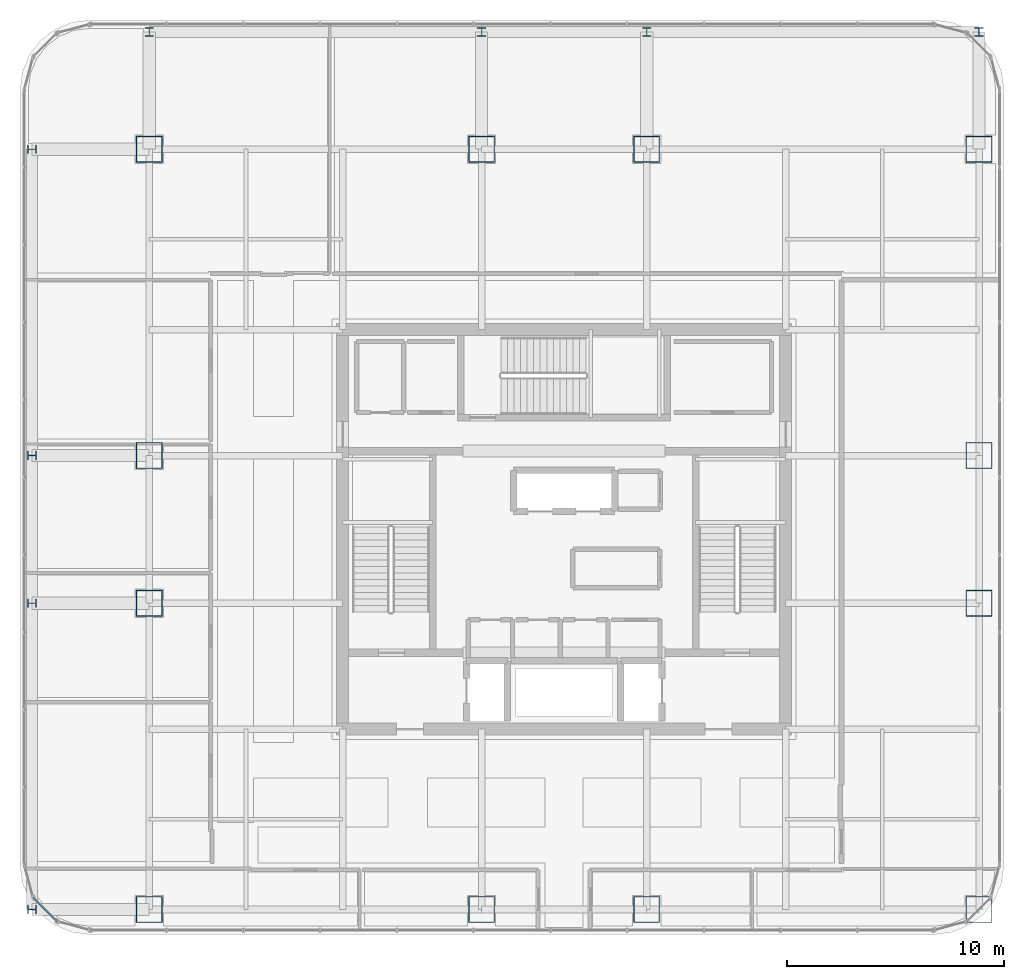
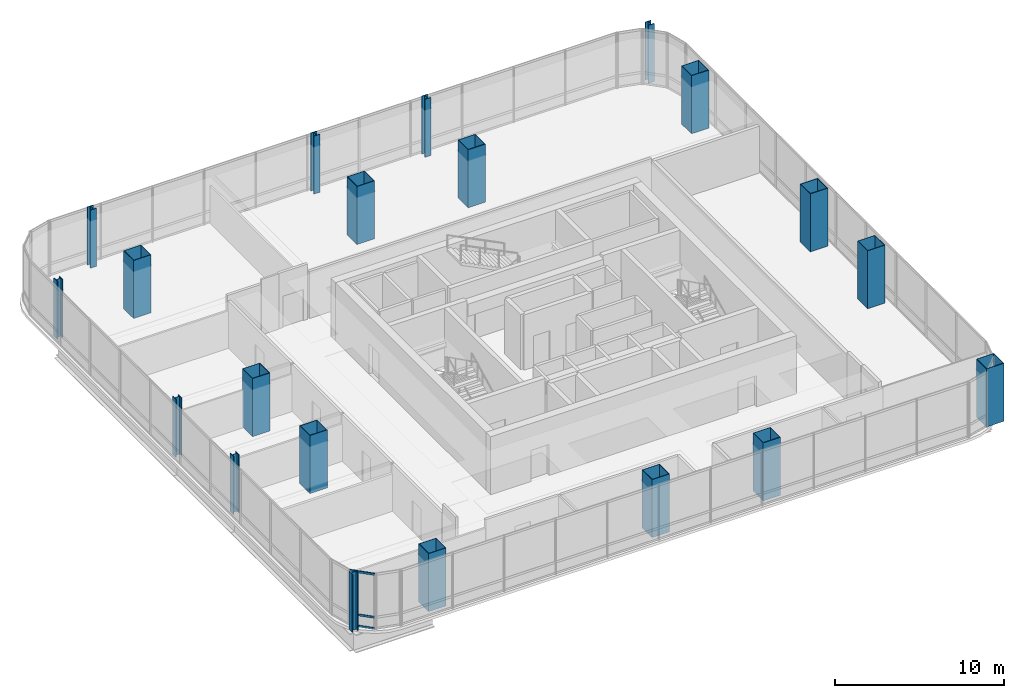
# One storey, part 1 of 42: 20 columns, 3 members, 1 element without a shape of its own.
"""IFC4 building model written with IfcOpenShell, lengths in metres."""

from ifc_helpers import new_model, si_unit, direction, frame, origin, origin_2d, place, context, subcontext, project, spatial, hollow_rectangle, i_section, extrude, material, material_profile, profile_set, type_object, element, aggregate, save


model = new_model("IFC4")

# Units and contexts
model_context = context("Model", 3, precision=1e-05, world=origin(), true_north=direction((0.0, 1.0)))
body_context = subcontext(model_context, "Body", "Model", "MODEL_VIEW")
ifc_project = project(units=[si_unit("LENGTHUNIT", "METRE"), si_unit("AREAUNIT", "SQUARE_METRE"), si_unit("VOLUMEUNIT", "CUBIC_METRE"), si_unit("PLANEANGLEUNIT", "RADIAN"), si_unit("MASSUNIT", "GRAM", prefix="KILO")], contexts=[model_context])

# Site, building, storey
site_placement = place(None, origin())
site = spatial("IfcSite", under=ifc_project, at=site_placement, CompositionType="ELEMENT")
building_placement = place(site_placement, origin())
building = spatial("IfcBuilding", under=site, at=building_placement, Name="Punatoya Terracotta Tower", CompositionType="ELEMENT")
storey_placement = place(building_placement, frame((0.0, 0.0, 296.39990234375)))
storey = spatial("IfcBuildingStorey", under=building, at=storey_placement, Name="L70", CompositionType="ELEMENT", Elevation=296.39990234375)

# Columns
ifc_material_1 = material(Name="Steel S460", Category="steel")
ifc_material_profile_1 = material_profile(ifc_material_1, i_section(OverallWidth=0.406005859375, OverallDepth=0.416015625, WebThickness=0.029052734375, FlangeThickness=0.048095703125, FilletRadius=0.01806640625, at=origin_2d()))
ifc_profile_set_1 = profile_set([ifc_material_profile_1], Name="Steel S460")
column_type_1 = type_object("IfcColumnType", Name="COL-EX-M3", PredefinedType="COLUMN", material=ifc_profile_set_1)
for number, where, z_axis, x_axis, name in (
    (1, (-19.10009765625, 22.89990234375, 0.0), (0.0, 0.0, 1.0), (1.0, 0.0, 0.0), "L70 Exoskeleton Perimeter Column N1"),
    (2, (-3.800048828125, 22.89990234375, 0.0), (0.0, 0.0, 1.0), (1.0, 0.0, 0.0), "L70 Exoskeleton Perimeter Column N2"),
    (3, (3.800048828125, 22.89990234375, 0.0), (0.0, 0.0, 1.0), (1.0, 0.0, 0.0), "L70 Exoskeleton Perimeter Column N3"),
    (4, (19.10009765625, 22.89990234375, 0.0), (0.0, 0.0, 1.0), (1.0, 0.0, 0.0), "L70 Exoskeleton Perimeter Column N4"),
    (5, (-24.5, -17.5, 0.0), (0.0, 0.0, 1.0), (0.0, 1.0, 0.0), "L70 Exoskeleton Perimeter Column W1"),
    (6, (-24.5, -3.39990234375, 0.0), (0.0, 0.0, 1.0), (0.0, 1.0, 0.0), "L70 Exoskeleton Perimeter Column W2"),
    (7, (-24.5, 3.39990234375, 0.0), (0.0, 0.0, 1.0), (0.0, 1.0, 0.0), "L70 Exoskeleton Perimeter Column W3"),
    (8, (-24.5, 17.5, 0.0), (0.0, 0.0, 1.0), (0.0, 1.0, 0.0), "L70 Exoskeleton Perimeter Column W4"),
):
    element("IfcColumn", number, at=place(storey_placement, frame(where, z_axis=z_axis, x_axis=x_axis)), inside=storey, type_object=column_type_1, Name=name, PredefinedType="COLUMN", context=body_context, shape_type="SweptSolid", body=[
        extrude(i_section(OverallWidth=0.406005859375, OverallDepth=0.416015625, WebThickness=0.029052734375, FlangeThickness=0.048095703125, FilletRadius=0.01806640625, at=origin_2d()), origin(), (0.0, 0.0, 1.0), 4.197998046875),
    ])
ifc_material_profile_2 = material_profile(ifc_material_1, hollow_rectangle(XDim=1.199951171875, YDim=1.199951171875, WallThickness=0.034912109375, at=origin_2d()))
ifc_profile_set_2 = profile_set([ifc_material_profile_2], Name="Steel S460")
column_type_2 = type_object("IfcColumnType", Name="COL-MC-Z4", PredefinedType="COLUMN", material=ifc_profile_set_2)
for number, where, z_axis, x_axis, name in (
    (9, (-19.10009765625, -17.5, 0.0), (0.0, 0.0, 1.0), (1.0, 0.0, 0.0), "L70 Composite Mega-Column MC-01 (3-B)"),
    (10, (-3.800048828125, -17.5, 0.0), (0.0, 0.0, 1.0), (1.0, 0.0, 0.0), "L70 Composite Mega-Column MC-02 (5-B)"),
    (11, (3.800048828125, -17.5, 0.0), (0.0, 0.0, 1.0), (1.0, 0.0, 0.0), "L70 Composite Mega-Column MC-03 (7-B)"),
    (12, (19.10009765625, -17.5, 0.0), (0.0, 0.0, 1.0), (1.0, 0.0, 0.0), "L70 Composite Mega-Column MC-04 (9-B)"),
    (13, (19.10009765625, -3.39990234375, 0.0), (0.0, 0.0, 1.0), (1.0, 0.0, 0.0), "L70 Composite Mega-Column MC-05 (9-D)"),
    (14, (19.10009765625, 3.39990234375, 0.0), (0.0, 0.0, 1.0), (1.0, 0.0, 0.0), "L70 Composite Mega-Column MC-06 (9-E)"),
    (15, (19.10009765625, 17.5, 0.0), (0.0, 0.0, 1.0), (1.0, 0.0, 0.0), "L70 Composite Mega-Column MC-07 (9-G)"),
    (16, (3.800048828125, 17.5, 0.0), (0.0, 0.0, 1.0), (1.0, 0.0, 0.0), "L70 Composite Mega-Column MC-08 (7-G)"),
    (17, (-3.800048828125, 17.5, 0.0), (0.0, 0.0, 1.0), (1.0, 0.0, 0.0), "L70 Composite Mega-Column MC-09 (5-G)"),
    (18, (-19.10009765625, 17.5, 0.0), (0.0, 0.0, 1.0), (1.0, 0.0, 0.0), "L70 Composite Mega-Column MC-10 (3-G)"),
    (19, (-19.10009765625, 3.39990234375, 0.0), (0.0, 0.0, 1.0), (1.0, 0.0, 0.0), "L70 Composite Mega-Column MC-11 (3-E)"),
    (20, (-19.10009765625, -3.39990234375, 0.0), (0.0, 0.0, 1.0), (1.0, 0.0, 0.0), "L70 Composite Mega-Column MC-12 (3-D)"),
):
    element("IfcColumn", number, at=place(storey_placement, frame(where, z_axis=z_axis, x_axis=x_axis)), inside=storey, type_object=column_type_2, Name=name, PredefinedType="COLUMN", context=body_context, shape_type="SweptSolid", body=[
        extrude(hollow_rectangle(XDim=1.199951171875, YDim=1.199951171875, WallThickness=0.034912109375, at=origin_2d()), origin(), (0.0, 0.0, 1.0), 4.2001953125),
    ])

# Curtain wall, members
ifc_material_2 = material(Name="Aluminium 6063-T6 + Double Low-E Glass", Category="aluminium")
curtain_wall_type = type_object("IfcCurtainWallType", Name="CW-M3", PredefinedType="NOTDEFINED", material=ifc_material_2)
curtain_wall_placement = place(storey_placement, origin())
curtain_wall = element("IfcCurtainWall", 21, at=curtain_wall_placement, inside=storey, type_object=curtain_wall_type, Name="L70 Curtain Wall CW-L70-CRN15", PredefinedType="NOTDEFINED")
ifc_material_3 = material(Name="Aluminium 6063-T6", Category="aluminium")
ifc_material_profile_3 = material_profile(ifc_material_3, hollow_rectangle(XDim=0.068115234375, YDim=0.14990234375, WallThickness=0.00390625, at=origin_2d()))
ifc_profile_set_3 = profile_set([ifc_material_profile_3], Name="Aluminium 6063-T6")
member_type = type_object("IfcMemberType", Name="CW-TRN-TYP", PredefinedType="USERDEFINED", material=ifc_profile_set_3)
member_1_placement = place(storey_placement, frame((-24.446533203125, -16.94921875, 0.0400390625), z_axis=(0.707106781187, -0.707106781187, 0.0), x_axis=(0.707106781187, 0.707106781187, 0.0)))
member_1 = element("IfcMember", 22, at=member_1_placement, type_object=member_type, Name="CW-L70-CRN15 Transom 1", ObjectType="TRANSOM", PredefinedType="USERDEFINED", context=body_context, shape_type="SweptSolid", body=[
    extrude(hollow_rectangle(XDim=0.068115234375, YDim=0.14990234375, WallThickness=0.00390625, at=origin_2d()), origin(), (0.0, 0.0, 1.0), 1.552001953125),
])
member_2_placement = place(storey_placement, frame((-24.446533203125, -16.94921875, 0.85009765625), z_axis=(0.707106781187, -0.707106781187, 0.0), x_axis=(0.707106781187, 0.707106781187, 0.0)))
member_2 = element("IfcMember", 23, at=member_2_placement, type_object=member_type, Name="CW-L70-CRN15 Transom 2", ObjectType="TRANSOM", PredefinedType="USERDEFINED", context=body_context, shape_type="SweptSolid", body=[
    extrude(hollow_rectangle(XDim=0.068115234375, YDim=0.14990234375, WallThickness=0.00390625, at=origin_2d()), origin(), (0.0, 0.0, 1.0), 1.552001953125),
])
member_3_placement = place(storey_placement, frame((-24.446533203125, -16.94921875, 3.960205078125), z_axis=(0.707106781187, -0.707106781187, 0.0), x_axis=(0.707106781187, 0.707106781187, 0.0)))
member_3 = element("IfcMember", 24, at=member_3_placement, type_object=member_type, Name="CW-L70-CRN15 Transom 3", ObjectType="TRANSOM", PredefinedType="USERDEFINED", context=body_context, shape_type="SweptSolid", body=[
    extrude(hollow_rectangle(XDim=0.068115234375, YDim=0.14990234375, WallThickness=0.00390625, at=origin_2d()), origin(), (0.0, 0.0, 1.0), 1.552001953125),
])
aggregate(curtain_wall, [member_1, member_2, member_3])

save(model, "model.ifc")
